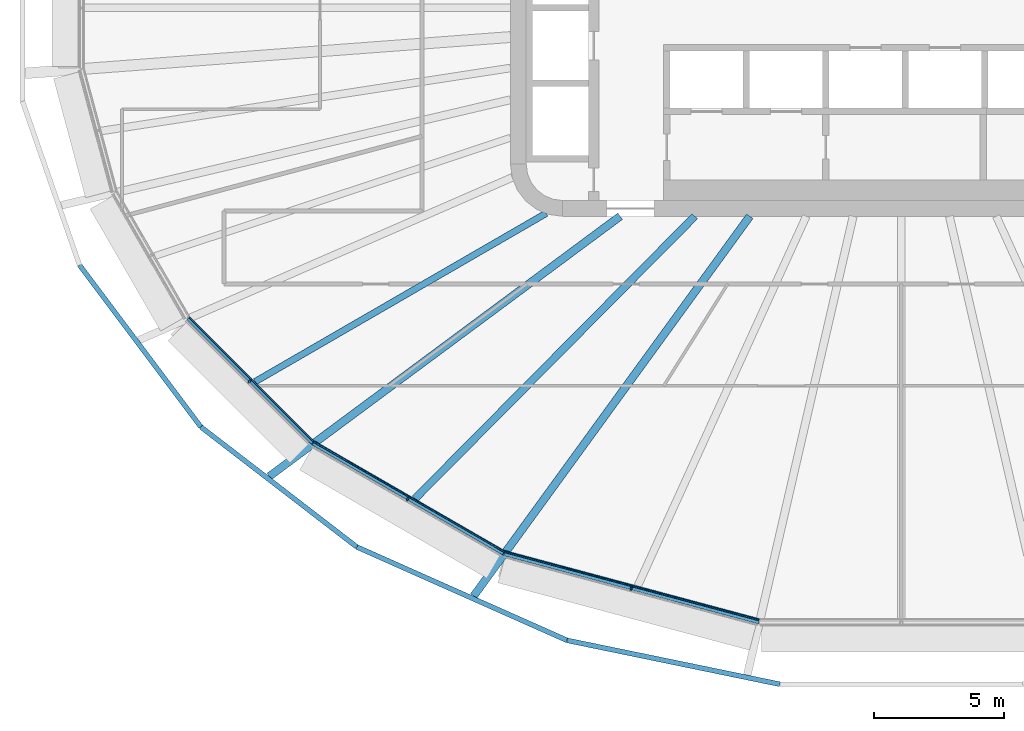
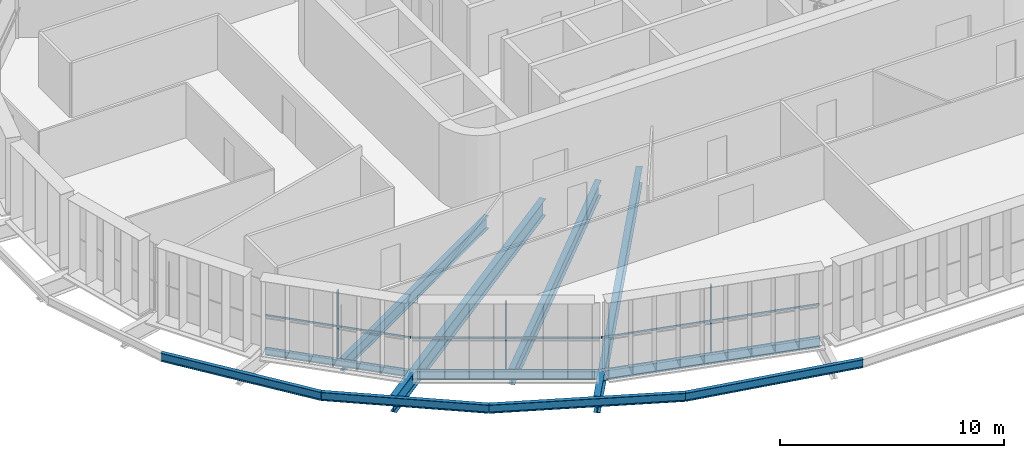
# One storey, part 1 of 25: 11 beams, 6 members, 3 elements without a shape of their own.
"""IFC4 building model written with IfcOpenShell, lengths in metres."""

from ifc_helpers import new_model, si_unit, direction, frame, origin, origin_2d, place, context, subcontext, project, spatial, rectangle, i_section, extrude, material, layer, layer_set, material_profile, profile_set, type_object, element, aggregate, save


model = new_model("IFC4")

# Units and contexts
model_context = context("Model", 3, precision=1e-05, world=origin(), true_north=direction((0.0, 1.0)))
body_context = subcontext(model_context, "Body", "Model", "MODEL_VIEW")
ifc_project = project(units=[si_unit("LENGTHUNIT", "METRE"), si_unit("AREAUNIT", "SQUARE_METRE"), si_unit("VOLUMEUNIT", "CUBIC_METRE"), si_unit("PLANEANGLEUNIT", "RADIAN"), si_unit("MASSUNIT", "GRAM", prefix="KILO")], contexts=[model_context])

# Site, building, storey
site_placement = place(None, origin())
site = spatial("IfcSite", under=ifc_project, at=site_placement, CompositionType="ELEMENT")
building_placement = place(site_placement, origin())
building = spatial("IfcBuilding", under=site, at=building_placement, Name="Sahrelin Media Tower", CompositionType="ELEMENT")
storey_placement = place(building_placement, frame((0.0, 0.0, 139.800048828125)))
storey = spatial("IfcBuildingStorey", under=building, at=storey_placement, Name="L28", CompositionType="ELEMENT", Elevation=139.800048828125)

# Beams
ifc_material_1 = material(Name="Steel S355", Category="steel")
ifc_material_profile_1 = material_profile(ifc_material_1, i_section(OverallWidth=0.17138671875, OverallDepth=0.35498046875, WebThickness=0.00732421875, FlangeThickness=0.011474609375, FilletRadius=0.01025390625, at=origin_2d()), Name="UB 356x171x51")
ifc_profile_set_1 = profile_set([ifc_material_profile_1], Name="Steel S355")
beam_type_1 = type_object("IfcBeamType", Name="Edge beam EB3", PredefinedType="BEAM", material=ifc_profile_set_1)
beam_1_placement = place(storey_placement, frame((-22.59033203125, -16.677978515625, -0.32763671875), z_axis=(-0.707106781187, 0.707106781187, 0.0), x_axis=(-0.707106781187, -0.707106781187, 0.0)))
element("IfcBeam", 1, at=beam_1_placement, inside=storey, type_object=beam_type_1, Name="Edge beam L28-10", PredefinedType="BEAM", context=body_context, shape_type="SweptSolid", body=[
    extrude(i_section(OverallWidth=0.17138671875, OverallDepth=0.35498046875, WebThickness=0.00732421875, FlangeThickness=0.011474609375, FilletRadius=0.01025390625, at=origin_2d()), origin(), (0.0, 0.0, 1.0), 6.751953125),
])
ifc_material_profile_2 = material_profile(ifc_material_1, i_section(OverallWidth=0.1904296875, OverallDepth=0.45703125, WebThickness=0.009033203125, FlangeThickness=0.014404296875, FilletRadius=0.01025390625, at=origin_2d()), Name="UB 457x191x74")
ifc_profile_set_2 = profile_set([ifc_material_profile_2], Name="Steel S355")
beam_type_2 = type_object("IfcBeamType", Name="Edge beam EB5", PredefinedType="BEAM", material=ifc_profile_set_2)
beam_2_placement = place(storey_placement, frame((-15.264404296875, -20.911865234375, -0.378662109375), z_axis=(-0.866028896434, 0.499993950504, 0.0), x_axis=(-0.499993950504, -0.866028896434, 0.0)))
element("IfcBeam", 2, at=beam_2_placement, inside=storey, type_object=beam_type_2, Name="Edge beam L28-09", PredefinedType="BEAM", context=body_context, shape_type="SweptSolid", body=[
    extrude(i_section(OverallWidth=0.1904296875, OverallDepth=0.45703125, WebThickness=0.009033203125, FlangeThickness=0.014404296875, FilletRadius=0.01025390625, at=origin_2d()), origin(), (0.0, 0.0, 1.0), 8.4326171875),
])
ifc_material_profile_3 = material_profile(ifc_material_1, i_section(OverallWidth=0.208740234375, OverallDepth=0.5283203125, WebThickness=0.009521484375, FlangeThickness=0.01318359375, FilletRadius=0.0126953125, at=origin_2d()), Name="UB 533x210x82")
ifc_profile_set_3 = profile_set([ifc_material_profile_3], Name="Steel S355")
beam_type_3 = type_object("IfcBeamType", Name="Edge beam EB6", PredefinedType="BEAM", material=ifc_profile_set_3)
beam_3_placement = place(storey_placement, frame((-5.46337890625, -23.5419921875, -0.4140625), z_axis=(-0.96592349726, 0.258827737002, 0.0), x_axis=(-0.258827737002, -0.96592349726, 0.0)))
element("IfcBeam", 3, at=beam_3_placement, inside=storey, type_object=beam_type_3, Name="Edge beam L28-08", PredefinedType="BEAM", context=body_context, shape_type="SweptSolid", body=[
    extrude(i_section(OverallWidth=0.208740234375, OverallDepth=0.5283203125, WebThickness=0.009521484375, FlangeThickness=0.01318359375, FilletRadius=0.0126953125, at=origin_2d()), origin(), (0.0, 0.0, 1.0), 10.119140625),
])

# Curtain wall, member
ifc_material_2 = material(Name="Champagne anodised aluminium 6063-T6", Category="aluminium")
ifc_layer = layer(ifc_material_2, 0.14990234375)
ifc_layer_set = layer_set([ifc_layer], Name="Tower ribbon curtain wall")
curtain_wall_type = type_object("IfcCurtainWallType", Name="Tower ribbon curtain wall", PredefinedType="NOTDEFINED", material=ifc_layer_set)
curtain_wall_1_placement = place(storey_placement, frame((-25.08349609375, -14.396728515625, 0.0), z_axis=(0.0, 0.0, 1.0), x_axis=(1.0, 0.0, 0.0)))
curtain_wall_1 = element("IfcCurtainWall", 4, at=curtain_wall_1_placement, inside=storey, type_object=curtain_wall_type, Name="L28:CW:L28-15", PredefinedType="NOTDEFINED")
ifc_material_profile_4 = material_profile(ifc_material_2, rectangle(XDim=0.06005859375, YDim=0.14990234375, at=origin_2d()), Name="Mullion 60x150")
ifc_profile_set_4 = profile_set([ifc_material_profile_4], Name="Champagne anodised aluminium 6063-T6")
member_type_1 = type_object("IfcMemberType", Name="Mullion 60x150 CW1", PredefinedType="MULLION", material=ifc_profile_set_4)
member_1_placement = place(storey_placement, frame((-25.016357421875, -14.32958984375, 0.0), z_axis=(0.0, 0.0, 1.0), x_axis=(0.707106781187, -0.707106781187, 0.0)))
member_1 = element("IfcMember", 5, at=member_1_placement, type_object=member_type_1, Name="L28:CWM:L28-15", PredefinedType="MULLION", context=body_context, shape_type="SweptSolid", body=[
    extrude(rectangle(XDim=0.06005859375, YDim=0.14990234375, at=origin_2d()), origin(), (0.0, 0.0, 1.0), 3.6484375),
])

curtain_wall_2_placement = place(storey_placement, frame((-18.990966796875, -18.93359375, 0.0), z_axis=(0.0, 0.0, 1.0), x_axis=(1.0, 0.0, 0.0)))
curtain_wall_2 = element("IfcCurtainWall", 6, at=curtain_wall_2_placement, inside=storey, type_object=curtain_wall_type, Name="L28:CW:L28-16", PredefinedType="NOTDEFINED")
member_2_placement = place(storey_placement, frame((-18.943603515625, -18.851318359375, 0.0), z_axis=(0.0, 0.0, 1.0), x_axis=(0.866027149108, -0.499996976998, 0.0)))
member_2 = element("IfcMember", 7, at=member_2_placement, type_object=member_type_1, Name="L28:CWM:L28-16", PredefinedType="MULLION", context=body_context, shape_type="SweptSolid", body=[
    extrude(rectangle(XDim=0.06005859375, YDim=0.14990234375, at=origin_2d()), origin(), (0.0, 0.0, 1.0), 3.6484375),
])

curtain_wall_3_placement = place(storey_placement, frame((-10.389404296875, -22.377197265625, 0.0), z_axis=(0.0, 0.0, 1.0), x_axis=(1.0, 0.0, 0.0)))
curtain_wall_3 = element("IfcCurtainWall", 8, at=curtain_wall_3_placement, inside=storey, type_object=curtain_wall_type, Name="L28:CW:L28-17", PredefinedType="NOTDEFINED")
member_3_placement = place(storey_placement, frame((-10.364990234375, -22.285400390625, 0.0), z_axis=(0.0, 0.0, 1.0), x_axis=(0.965925826289, -0.258819045103, 0.0)))
member_3 = element("IfcMember", 9, at=member_3_placement, type_object=member_type_1, Name="L28:CWM:L28-17", PredefinedType="MULLION", context=body_context, shape_type="SweptSolid", body=[
    extrude(rectangle(XDim=0.06005859375, YDim=0.14990234375, at=origin_2d()), origin(), (0.0, 0.0, 1.0), 3.6484375),
])

# Beams
ifc_material_profile_5 = material_profile(ifc_material_1, i_section(OverallWidth=0.30322265625, OverallDepth=0.903076171875, WebThickness=0.01513671875, FlangeThickness=0.020263671875, FilletRadius=0.01904296875, at=origin_2d()), Name="UB 914x305x201")
ifc_profile_set_5 = profile_set([ifc_material_profile_5], Name="Steel S355")
beam_type_4 = type_object("IfcBeamType", Name="Radial primary beam PB11", PredefinedType="BEAM", material=ifc_profile_set_5)
beam_4_placement = place(storey_placement, frame((-10.791015625, -8.0, -0.6015625), z_axis=(-0.803313092893, -0.59555694504, 0.0), x_axis=(0.59555694504, -0.803313092893, 0.0)))
element("IfcBeam", 10, at=beam_4_placement, inside=storey, type_object=beam_type_4, Name="Radial beam L28-16", PredefinedType="BEAM", context=body_context, shape_type="SweptSolid", body=[
    extrude(i_section(OverallWidth=0.30322265625, OverallDepth=0.903076171875, WebThickness=0.01513671875, FlangeThickness=0.020263671875, FilletRadius=0.01904296875, at=origin_2d()), origin(), (0.0, 0.0, 1.0), 16.765625),
])
beam_5_placement = place(storey_placement, frame((-5.81591796875, -8.0, -0.6015625), z_axis=(-0.588033974644, -0.80883622858, 0.0), x_axis=(0.80883622858, -0.588033974644, 0.0)))
element("IfcBeam", 11, at=beam_5_placement, inside=storey, type_object=beam_type_4, Name="Radial beam L28-17", PredefinedType="BEAM", context=body_context, shape_type="SweptSolid", body=[
    extrude(i_section(OverallWidth=0.30322265625, OverallDepth=0.903076171875, WebThickness=0.01513671875, FlangeThickness=0.020263671875, FilletRadius=0.01904296875, at=origin_2d()), origin(), (0.0, 0.0, 1.0), 18.025146484375),
])
ifc_material_profile_6 = material_profile(ifc_material_1, i_section(OverallWidth=0.291748046875, OverallDepth=0.8349609375, WebThickness=0.013916015625, FlangeThickness=0.018798828125, FilletRadius=0.017822265625, at=origin_2d()), Name="UB 838x292x176")
ifc_profile_set_6 = profile_set([ifc_material_profile_6], Name="Steel S355")
beam_type_5 = type_object("IfcBeamType", Name="Radial secondary beam SB10", PredefinedType="BEAM", material=ifc_profile_set_6)
beam_6_placement = place(storey_placement, frame((-7.92578125, -8.0, -0.5673828125), z_axis=(-0.703794822352, -0.710403299563, 0.0), x_axis=(0.710403299563, -0.703794822352, 0.0)))
element("IfcBeam", 12, at=beam_6_placement, inside=storey, type_object=beam_type_5, Name="Secondary beam L28-16", PredefinedType="BEAM", context=body_context, shape_type="SweptSolid", body=[
    extrude(i_section(OverallWidth=0.291748046875, OverallDepth=0.8349609375, WebThickness=0.013916015625, FlangeThickness=0.018798828125, FilletRadius=0.017822265625, at=origin_2d()), origin(), (0.0, 0.0, 1.0), 15.257568359375),
])
ifc_material_profile_7 = material_profile(ifc_material_1, i_section(OverallWidth=0.2529296875, OverallDepth=0.677978515625, WebThickness=0.01171875, FlangeThickness=0.01611328125, FilletRadius=0.01513671875, at=origin_2d()), Name="UB 686x254x125")
ifc_profile_set_7 = profile_set([ifc_material_profile_7], Name="Steel S355")
beam_type_6 = type_object("IfcBeamType", Name="Radial secondary beam SB8", PredefinedType="BEAM", material=ifc_profile_set_7)
beam_7_placement = place(storey_placement, frame((-13.62939453125, -7.885498046875, -0.489013671875), z_axis=(-0.865569164292, -0.500789398676, 0.0), x_axis=(0.500789398676, -0.865569164292, 0.0)))
element("IfcBeam", 13, at=beam_7_placement, inside=storey, type_object=beam_type_6, Name="Secondary beam L28-15", PredefinedType="BEAM", context=body_context, shape_type="SweptSolid", body=[
    extrude(i_section(OverallWidth=0.2529296875, OverallDepth=0.677978515625, WebThickness=0.01171875, FlangeThickness=0.01611328125, FilletRadius=0.01513671875, at=origin_2d()), origin(), (0.0, 0.0, 1.0), 12.904541015625),
])
ifc_material_profile_8 = material_profile(ifc_material_1, i_section(OverallWidth=0.1904296875, OverallDepth=0.45703125, WebThickness=0.009033203125, FlangeThickness=0.014404296875, FilletRadius=0.01025390625, at=origin_2d()), Name="UB 457x191x74")
ifc_profile_set_8 = profile_set([ifc_material_profile_8], Name="Steel S355")
beam_type_7 = type_object("IfcBeamType", Name="Tie chord TC5", PredefinedType="BEAM", material=ifc_profile_set_8)
beam_8_placement = place(storey_placement, frame((-31.54052734375, -9.87548828125, -0.378662109375), z_axis=(0.600060372232, -0.799954717266, 0.0), x_axis=(0.799954717266, 0.600060372232, 0.0)))
element("IfcBeam", 14, at=beam_8_placement, inside=storey, type_object=beam_type_7, Name="Tie chord L28-14", PredefinedType="BEAM", context=body_context, shape_type="SweptSolid", body=[
    extrude(i_section(OverallWidth=0.1904296875, OverallDepth=0.45703125, WebThickness=0.009033203125, FlangeThickness=0.014404296875, FilletRadius=0.01025390625, at=origin_2d()), origin(), (0.0, 0.0, 1.0), 7.76416015625),
])
beam_9_placement = place(storey_placement, frame((-26.881591796875, -16.08642578125, -0.378662109375), z_axis=(0.792447216205, -0.609940496711, 0.0), x_axis=(0.609940496711, 0.792447216205, 0.0)))
element("IfcBeam", 15, at=beam_9_placement, inside=storey, type_object=beam_type_7, Name="Tie chord L28-15", PredefinedType="BEAM", context=body_context, shape_type="SweptSolid", body=[
    extrude(i_section(OverallWidth=0.1904296875, OverallDepth=0.45703125, WebThickness=0.009033203125, FlangeThickness=0.014404296875, FilletRadius=0.01025390625, at=origin_2d()), origin(), (0.0, 0.0, 1.0), 7.548583984375),
])
beam_10_placement = place(storey_placement, frame((-20.899658203125, -20.690673828125, -0.378662109375), z_axis=(0.913829789839, -0.406097420827, 0.0), x_axis=(0.406097420827, 0.913829789839, 0.0)))
element("IfcBeam", 16, at=beam_10_placement, inside=storey, type_object=beam_type_7, Name="Tie chord L28-16", PredefinedType="BEAM", context=body_context, shape_type="SweptSolid", body=[
    extrude(i_section(OverallWidth=0.1904296875, OverallDepth=0.45703125, WebThickness=0.009033203125, FlangeThickness=0.014404296875, FilletRadius=0.01025390625, at=origin_2d()), origin(), (0.0, 0.0, 1.0), 8.830322265625),
])
beam_11_placement = place(storey_placement, frame((-12.830322265625, -24.276611328125, -0.378662109375), z_axis=(0.979388144388, -0.201987283341, 0.0), x_axis=(0.201987283341, 0.979388144388, 0.0)))
element("IfcBeam", 17, at=beam_11_placement, inside=storey, type_object=beam_type_7, Name="Tie chord L28-17", PredefinedType="BEAM", context=body_context, shape_type="SweptSolid", body=[
    extrude(i_section(OverallWidth=0.1904296875, OverallDepth=0.45703125, WebThickness=0.009033203125, FlangeThickness=0.014404296875, FilletRadius=0.01025390625, at=origin_2d()), origin(), (0.0, 0.0, 1.0), 8.343505859375),
])

# Member
ifc_material_profile_9 = material_profile(ifc_material_2, rectangle(XDim=0.050048828125, YDim=0.10009765625, at=origin_2d()), Name="Transom 50x100")
ifc_profile_set_9 = profile_set([ifc_material_profile_9], Name="Champagne anodised aluminium 6063-T6")
member_type_2 = type_object("IfcMemberType", Name="Transom 50x100 CW1", PredefinedType="USERDEFINED", material=ifc_profile_set_9)
member_4_placement = place(storey_placement, frame((-27.32177734375, -11.8828125, 1.599853515625), z_axis=(0.707106781187, -0.707106781187, 0.0), x_axis=(0.707106781187, 0.707106781187, 0.0)))
member_4 = element("IfcMember", 18, at=member_4_placement, type_object=member_type_2, Name="L28:CWT:L28-15", ObjectType="TRANSOM", PredefinedType="USERDEFINED", context=body_context, shape_type="SweptSolid", body=[
    extrude(rectangle(XDim=0.050048828125, YDim=0.10009765625, at=origin_2d()), origin(), (0.0, 0.0, 1.0), 6.720703125),
])

aggregate(curtain_wall_1, [member_1, member_4])

member_5_placement = place(storey_placement, frame((-22.53125, -16.664306640625, 1.599853515625), z_axis=(0.866020563817, -0.500008382975, 0.0), x_axis=(0.500008382975, 0.866020563817, 0.0)))
member_5 = element("IfcMember", 19, at=member_5_placement, type_object=member_type_2, Name="L28:CWT:L28-16", ObjectType="TRANSOM", PredefinedType="USERDEFINED", context=body_context, shape_type="SweptSolid", body=[
    extrude(rectangle(XDim=0.050048828125, YDim=0.10009765625, at=origin_2d()), origin(), (0.0, 0.0, 1.0), 8.401123046875),
])

aggregate(curtain_wall_2, [member_2, member_5])

member_6_placement = place(storey_placement, frame((-15.2109375, -20.883544921875, 1.599853515625), z_axis=(0.965928174808, -0.258810280151, 0.0), x_axis=(0.258810280151, 0.965928174808, 0.0)))
member_6 = element("IfcMember", 20, at=member_6_placement, type_object=member_type_2, Name="L28:CWT:L28-17", ObjectType="TRANSOM", PredefinedType="USERDEFINED", context=body_context, shape_type="SweptSolid", body=[
    extrude(rectangle(XDim=0.050048828125, YDim=0.10009765625, at=origin_2d()), origin(), (0.0, 0.0, 1.0), 10.087890625),
])

aggregate(curtain_wall_3, [member_3, member_6])

save(model, "model.ifc")
